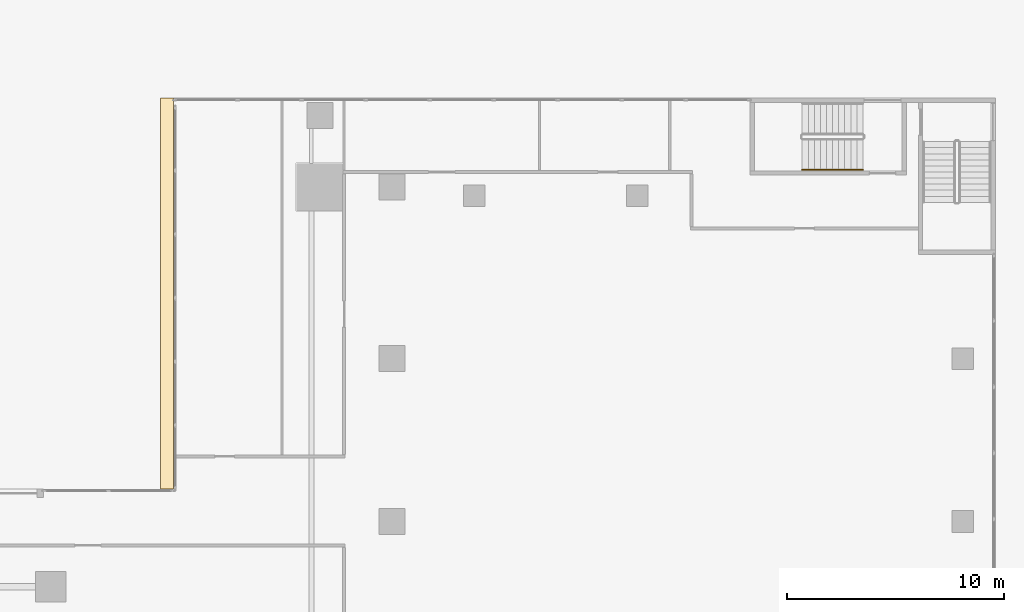
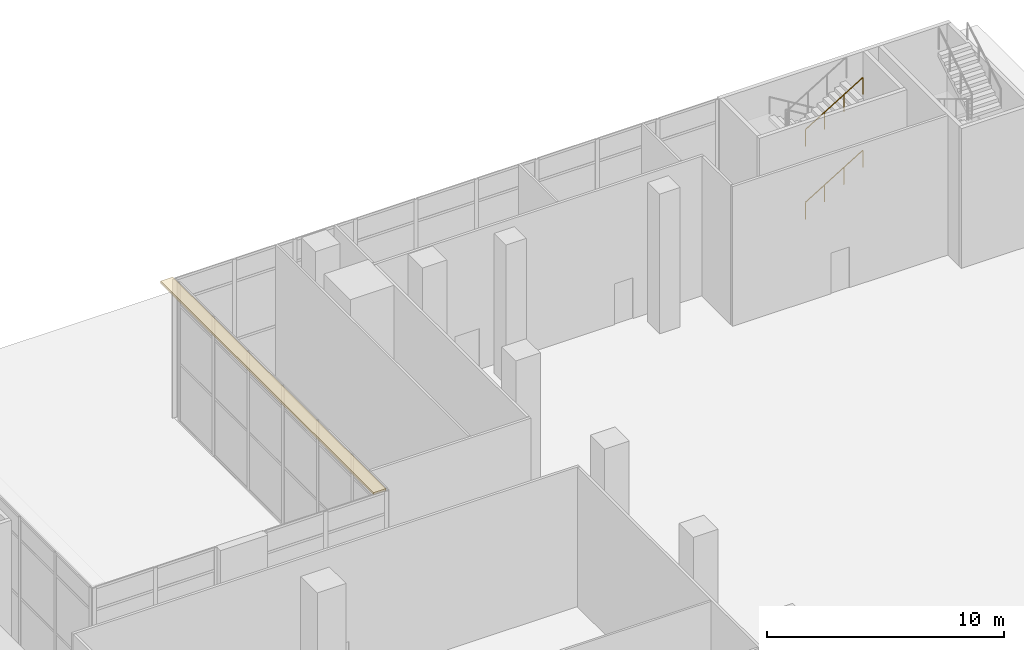
# One storey, part 50 of 52: 2 railings, 1 covering.
"""IFC4 building model written with IfcOpenShell, lengths in metres."""

from ifc_helpers import new_model, si_unit, direction, frame, origin, origin_2d, place, context, subcontext, project, spatial, polyline, circle, outline, extrude, source, transform, mapped, material, layer, layer_set, type_object, element, save


model = new_model("IFC4")

# Units and contexts
model_context = context("Model", 3, precision=1e-05, world=origin(), true_north=direction((0.0, 1.0)))
body_context = subcontext(model_context, "Body", "Model", "MODEL_VIEW")
ifc_project = project(units=[si_unit("LENGTHUNIT", "METRE"), si_unit("AREAUNIT", "SQUARE_METRE"), si_unit("VOLUMEUNIT", "CUBIC_METRE"), si_unit("PLANEANGLEUNIT", "RADIAN"), si_unit("MASSUNIT", "GRAM", prefix="KILO")], contexts=[model_context])

# Site, building, storey
site_placement = place(None, origin())
site = spatial("IfcSite", under=ifc_project, at=site_placement, CompositionType="ELEMENT")
building_placement = place(site_placement, origin())
building = spatial("IfcBuilding", under=site, at=building_placement, Name="Khomas Fold Tower", CompositionType="ELEMENT")
storey_placement = place(building_placement, origin())
storey = spatial("IfcBuildingStorey", under=building, at=storey_placement, Name="L00", CompositionType="ELEMENT", Elevation=0.0)

# Covering
ifc_material_1 = material(Name="Natural stone cladding", Category="masonry")
ifc_layer = layer(ifc_material_1, 0.1201171875)
ifc_layer_set = layer_set([ifc_layer], Name="Natural stone cladding")
covering_type = type_object("IfcCoveringType", Name="Notch soffit stone GN-SF", PredefinedType="CLADDING", material=ifc_layer_set)
shared_shape_1 = source(origin(), body_context, "Body", "SweptSolid", [
    extrude(outline(polyline([(42.550048828125, 54.0), (42.550048828125, 36.0), (43.14990234375, 36.0), (43.14990234375, 54.0), (42.550048828125, 54.0)])), origin(), (0.0, 0.0, 1.0), 0.119873046875),
])
covering_placement = place(storey_placement, frame((0.0, 0.0, 7.080078125)))
element("IfcCovering", 1, at=covering_placement, inside=storey, type_object=covering_type, Name="Notch soffit stone", PredefinedType="CLADDING", context=body_context, shape_type="MappedRepresentation", body=[
    mapped(shared_shape_1, transform((0.0, 0.0, 0.0))),
])

# Railings
ifc_material_2 = material(Name="Steel handrail", Category="steel")
railing_type = type_object("IfcRailingType", Name="Stair handrail", PredefinedType="HANDRAIL", material=ifc_material_2)
shared_shape_2 = source(origin(), body_context, "Body", "SweptSolid", [
    extrude(circle(Radius=0.02392578125, at=origin_2d()), frame((0.0, 0.0, 0.8759765625), z_axis=(0.854149651119, 0.0, 0.520027281489), x_axis=(0.0, 1.0, 0.0)), (0.0, 0.0, 1.0), 3.27783203125),
    extrude(circle(Radius=0.02099609375, at=origin_2d()), origin(), (0.0, 0.0, 1.0), 0.851806640625),
    extrude(circle(Radius=0.02099609375, at=origin_2d()), frame((0.933349609375, 0.0, 0.568115234375)), (0.0, 0.0, 1.0), 0.851806640625),
    extrude(circle(Radius=0.02099609375, at=origin_2d()), frame((1.866455078125, 0.0, 1.136474609375)), (0.0, 0.0, 1.0), 0.851806640625),
    extrude(circle(Radius=0.02099609375, at=origin_2d()), frame((2.7998046875, 0.0, 1.70458984375)), (0.0, 0.0, 1.0), 0.851806640625),
])
for number, where, name in (
    (2, (72.10009765625, 50.699951171875, 2.04541015625), "L00 PS5 stair handrail 2"),
    (3, (72.10009765625, 50.699951171875, 5.79541015625), "L00 PS5 stair handrail 4"),
):
    element("IfcRailing", number, at=place(storey_placement, frame(where)), inside=storey, type_object=railing_type, Name=name, PredefinedType="HANDRAIL", context=body_context, shape_type="MappedRepresentation", body=[
        mapped(shared_shape_2, transform((0.0, 0.0, 0.0))),
    ])

save(model, "model.ifc")
